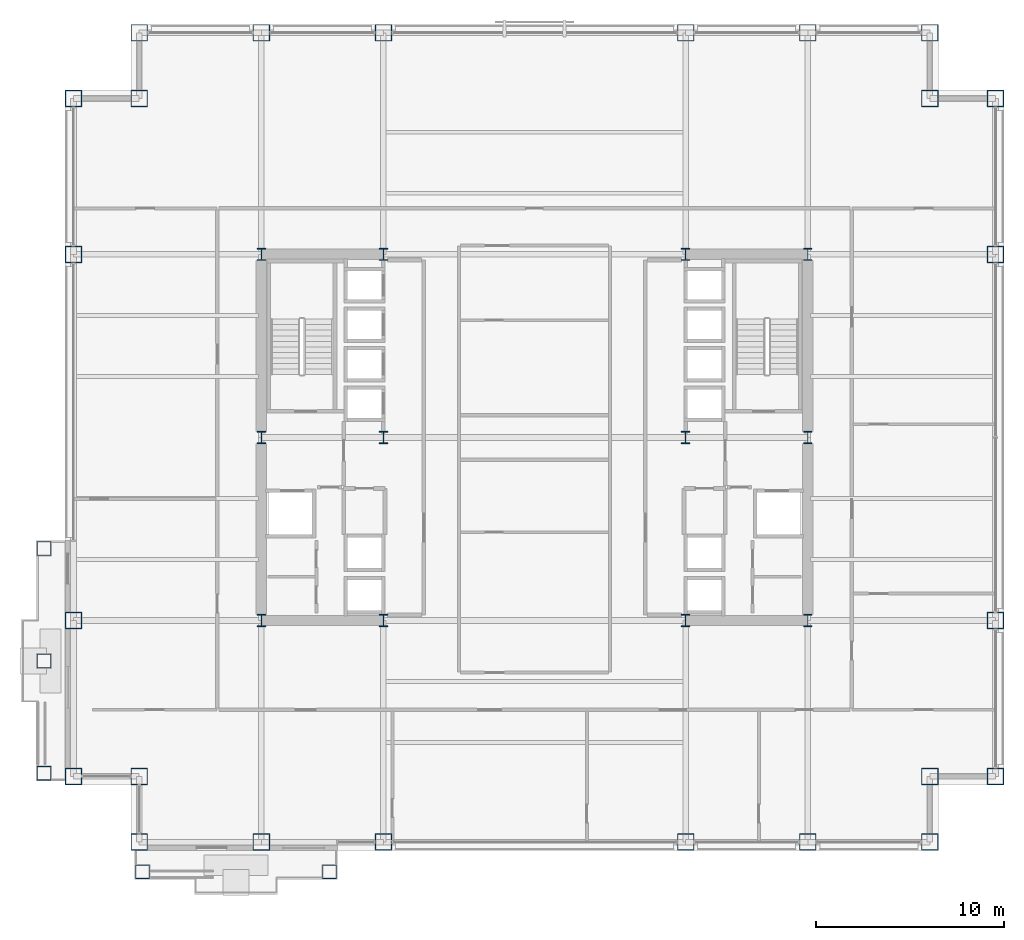
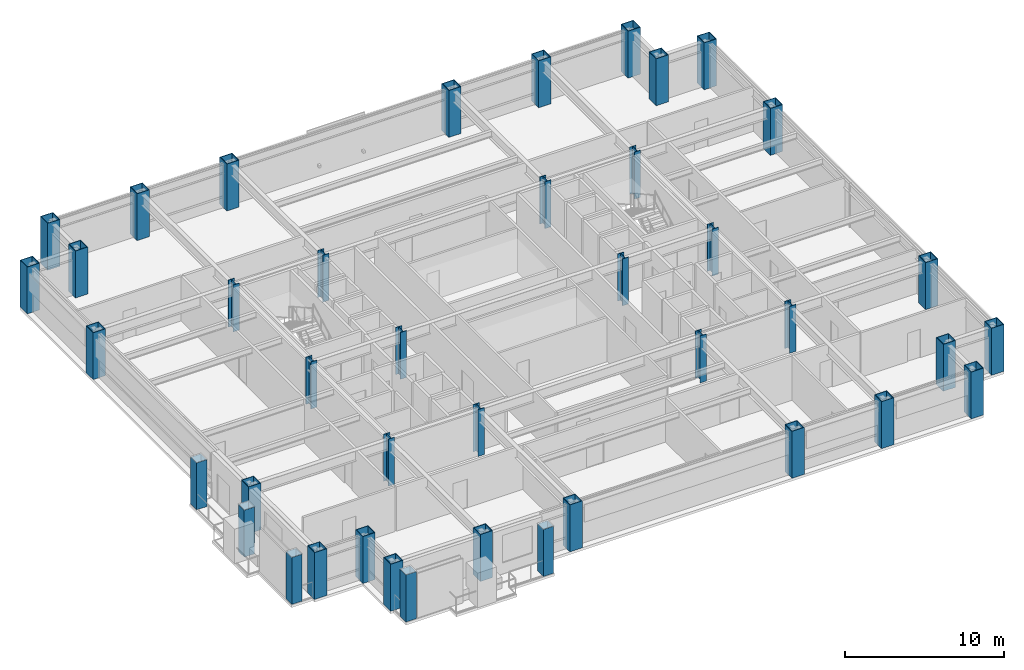
# One storey, part 1 of 29: 41 columns.
"""IFC4 building model written with IfcOpenShell, lengths in metres."""

import ifcopenshell
import ifcopenshell.guid

model = None  # the IFC model being written
_history = None  # IfcOwnerHistory: only IFC2X3 demands one
_inside = {}  # id of a spatial element -> (the spatial element, [elements in it])
_under = {}  # id of a project, library or spatial element -> (it, [spatial elements below it])
_declared = {}  # id of a project -> (the project, [libraries it declares])
_typed = {}  # id of a type object -> (the type object, [elements of that type])
_made_of = {}  # id of a material, layer set ... -> (it, [elements and type objects made of it])


def new_model(schema):
    """Start an empty IFC model of exactly this schema.

    Asked for "IFC4X3", IfcOpenShell would pick the latest addendum, in which some entities
    have other attributes; the version numbers below select the first issue.
    IFC2X3 requires an IfcOwnerHistory on every rooted entity: one is made here for all.
    """
    global model, _history
    if schema == "IFC4X3":
        model = ifcopenshell.file(schema_version=(4, 3, 0, 0))
    else:
        model = ifcopenshell.file(schema=schema)
    _inside.clear()
    _under.clear()
    _declared.clear()
    _typed.clear()
    _made_of.clear()
    _history = None
    if model.schema == "IFC2X3":
        org = make("IfcOrganization", Name="unknown")
        user = make(
            "IfcPersonAndOrganization",
            ThePerson=make("IfcPerson", FamilyName="unknown"),
            TheOrganization=org,
        )
        app = make(
            "IfcApplication",
            ApplicationDeveloper=org,
            Version="unknown",
            ApplicationFullName="unknown",
            ApplicationIdentifier="unknown",
        )
        _history = make(
            "IfcOwnerHistory",
            OwningUser=user,
            OwningApplication=app,
            ChangeAction="ADDED",
            CreationDate=0,
        )
    return model


def make(cls, **values):
    """One entity of the class cls with the attributes given. An attribute that is None is left unset."""
    return model.create_entity(
        cls, **{name: value for name, value in values.items() if value is not None}
    )


def rooted(cls, **values):
    """An entity with a GlobalId (a new one), such as an element, a storey or a relation."""
    return make(cls, GlobalId=ifcopenshell.guid.new(), OwnerHistory=_history, **values)


def si_unit(unit_type, name, prefix=None):
    """IfcSIUnit, for example si_unit("LENGTHUNIT", "METRE", prefix="MILLI")."""
    return make("IfcSIUnit", UnitType=unit_type, Prefix=prefix, Name=name)


def assignment(units):
    """IfcUnitAssignment: the units of a project."""
    return None if units is None else make("IfcUnitAssignment", Units=units)


def point(xyz):
    """IfcCartesianPoint."""
    return None if xyz is None else make("IfcCartesianPoint", Coordinates=xyz)


def direction(xyz):
    """IfcDirection."""
    return None if xyz is None else make("IfcDirection", DirectionRatios=xyz)


def frame(location, z_axis=None, x_axis=None):
    """IfcAxis2Placement3D, a coordinate frame: its origin and axes. An axis left out is left unset."""
    return make(
        "IfcAxis2Placement3D",
        Location=point(location),
        Axis=direction(z_axis),
        RefDirection=direction(x_axis),
    )


def frame_2d(location, x_axis=None):
    """IfcAxis2Placement2D, a coordinate frame in the plane: its origin and x axis."""
    return make(
        "IfcAxis2Placement2D", Location=point(location), RefDirection=direction(x_axis)
    )


def origin():
    """The frame at (0, 0, 0) with its axes left unset."""
    return frame((0.0, 0.0, 0.0))


def origin_2d():
    """The frame at (0, 0) in the plane with its x axis left unset."""
    return frame_2d((0.0, 0.0))


def place(relative_to, where):
    """IfcLocalPlacement: puts the frame where relative to a parent placement (None: the world)."""
    return make(
        "IfcLocalPlacement", PlacementRelTo=relative_to, RelativePlacement=where
    )


def context(
    kind, dimensions, precision=None, world=None, true_north=None, identifier=None
):
    """IfcGeometricRepresentationContext, for example the 3D "Model" context."""
    return make(
        "IfcGeometricRepresentationContext",
        ContextIdentifier=identifier,
        ContextType=kind,
        CoordinateSpaceDimension=dimensions,
        Precision=precision,
        WorldCoordinateSystem=world,
        TrueNorth=true_north,
    )


def subcontext(parent, identifier, kind, view, scale=None):
    """IfcGeometricRepresentationSubContext, for example "Body" below "Model"."""
    return make(
        "IfcGeometricRepresentationSubContext",
        ContextIdentifier=identifier,
        ContextType=kind,
        ParentContext=parent,
        TargetScale=scale,
        TargetView=view,
    )


def project(units=None, contexts=None):
    """IfcProject with its units and contexts."""
    return rooted(
        "IfcProject",
        Name="project",
        RepresentationContexts=contexts,
        UnitsInContext=assignment(units),
    )


def spatial(cls, under=None, at=None, **own):
    """A site, building, storey or space (cls), placed at a placement, below another one or the project."""
    s = rooted(cls, ObjectPlacement=at, **own)
    if under is not None:
        _under.setdefault(under.id(), (under, []))[1].append(s)
    return s


def profile(cls, at=None, kind="AREA", **sizes):
    """A parametric profile (cls). Its sizes go by their IFC names, for example OverallWidth=200.0."""
    return make(cls, ProfileType=kind, Position=at, **sizes)


def hollow_rectangle(**sizes):
    """IfcRectangleHollowProfileDef."""
    return profile("IfcRectangleHollowProfileDef", **sizes)


def i_section(**sizes):
    """IfcIShapeProfileDef."""
    return profile("IfcIShapeProfileDef", **sizes)


def extrude(swept, where, along, depth):
    """IfcExtrudedAreaSolid: the profile swept, set in the frame where, extruded along a direction by depth."""
    return make(
        "IfcExtrudedAreaSolid",
        SweptArea=swept,
        Position=where,
        ExtrudedDirection=direction(along),
        Depth=depth,
    )


def shape(context_of_items, identifier, shape_type, items):
    """IfcShapeRepresentation: the items that make up one representation, for example the "Body"."""
    return make(
        "IfcShapeRepresentation",
        ContextOfItems=context_of_items,
        RepresentationIdentifier=identifier,
        RepresentationType=shape_type,
        Items=items,
    )


def material(Name=None, Category=None):
    """IfcMaterial."""
    return make("IfcMaterial", Name=Name, Category=Category)


def material_profile(
    of_material, cross_section, Name=None, Category=None, Priority=None
):
    """IfcMaterialProfile: a cross section and its material."""
    return make(
        "IfcMaterialProfile",
        Name=Name,
        Material=of_material,
        Profile=cross_section,
        Priority=Priority,
        Category=Category,
    )


def profile_set(profiles, Name=None, composite=None):
    """IfcMaterialProfileSet."""
    return make(
        "IfcMaterialProfileSet",
        Name=Name,
        MaterialProfiles=profiles,
        CompositeProfile=composite,
    )


def made_of(thing, what):
    """Note that an element or type object is made of a material, layer set ...; save() writes the relation."""
    if what is not None:
        _made_of.setdefault(what.id(), (what, []))[1].append(thing)
    return thing


def type_object(cls, material=None, **own):
    """A type object (cls), such as IfcWallType, which elements share."""
    return made_of(rooted(cls, **own), material)


def element(
    cls,
    number,
    at=None,
    inside=None,
    cuts=None,
    type_object=None,
    material=None,
    context=None,
    identifier="Body",
    shape_type=None,
    held_by="IfcProductDefinitionShape",
    body=None,
    shapes=None,
    **own,
):
    """One element of the class cls, such as IfcWall. Its Tag is "e" and its number.

    at: its placement. inside: the storey or other place that contains it. cuts: it is an
    opening in that element (IfcRelVoidsElement). A single representation is given by context,
    identifier, shape_type and body (its items); several are given by shapes. held_by: the class
    of the entity that holds the representations. save() writes the other relations.
    """
    e = rooted(cls, Tag="e%d" % number, ObjectPlacement=at, **own)
    if body is not None:
        shapes = [shape(context, identifier, shape_type, body)]
    if shapes is not None:
        e.Representation = make(held_by, Representations=shapes)
    if inside is not None:
        _inside.setdefault(inside.id(), (inside, []))[1].append(e)
    if cuts is not None:
        rooted(
            "IfcRelVoidsElement", RelatingBuildingElement=cuts, RelatedOpeningElement=e
        )
    if type_object is not None:
        _typed.setdefault(type_object.id(), (type_object, []))[1].append(e)
    return made_of(e, material)


def aggregate(whole, parts):
    """IfcRelAggregates: a whole, such as a stair, and the parts it consists of."""
    return rooted("IfcRelAggregates", RelatingObject=whole, RelatedObjects=parts)


def save(model, path):
    """Write the relations noted so far, then the file.

    IfcRelAggregates (storeys below a building ...), IfcRelContainedInSpatialStructure (elements
    in a storey), IfcRelDefinesByType, IfcRelAssociatesMaterial and IfcRelDeclares: one each for
    every whole, place, type object, material and project.
    """
    for whole, parts in _under.values():
        aggregate(whole, parts)
    for where, things in _inside.values():
        rooted(
            "IfcRelContainedInSpatialStructure",
            RelatedElements=things,
            RelatingStructure=where,
        )
    for kind, things in _typed.values():
        rooted("IfcRelDefinesByType", RelatedObjects=things, RelatingType=kind)
    for what, things in _made_of.values():
        rooted("IfcRelAssociatesMaterial", RelatedObjects=things, RelatingMaterial=what)
    for by, libraries in _declared.values():
        rooted("IfcRelDeclares", RelatingContext=by, RelatedDefinitions=libraries)
    model.write(path)


model = new_model("IFC4")

# Units and contexts
model_context = context("Model", 3, precision=1e-05, world=origin(), true_north=direction((0.0, 1.0)))
body_context = subcontext(model_context, "Body", "Model", "MODEL_VIEW")
ifc_project = project(units=[si_unit("LENGTHUNIT", "METRE"), si_unit("AREAUNIT", "SQUARE_METRE"), si_unit("VOLUMEUNIT", "CUBIC_METRE"), si_unit("PLANEANGLEUNIT", "RADIAN"), si_unit("MASSUNIT", "GRAM", prefix="KILO")], contexts=[model_context])

# Site, building, storey
site_placement = place(None, origin())
site = spatial("IfcSite", under=ifc_project, at=site_placement, CompositionType="ELEMENT")
building_placement = place(site_placement, origin())
building = spatial("IfcBuilding", under=site, at=building_placement, Name="Brelmoor Portico Tower", CompositionType="ELEMENT")
storey_placement = place(building_placement, frame((0.0, 0.0, 63.60009765625)))
storey = spatial("IfcBuildingStorey", under=building, at=storey_placement, Name="L16", CompositionType="ELEMENT", Elevation=63.60009765625)

# Columns
ifc_material = material(Name="Steel Q355B", Category="steel")
ifc_material_profile_1 = material_profile(ifc_material, hollow_rectangle(XDim=0.75, YDim=0.75, WallThickness=0.031982421875, at=origin_2d()), Name="BOX 750x750x32")
ifc_profile_set_1 = profile_set([ifc_material_profile_1], Name="Steel Q355B")
column_type_1 = type_object("IfcColumnType", Name="COL-MEGA-750", PredefinedType="COLUMN", material=ifc_profile_set_1)
for number, where, z_axis, x_axis, name in (
    (1, (-26.1298828125, -17.8798828125, 0.0), (0.0, 0.0, 1.0), (0.0, 1.0, 0.0), "L16 Proud Picture-Frame Pier PFJ-W1"),
    (2, (-26.1298828125, -5.919921875, 0.0), (0.0, 0.0, 1.0), (0.0, 1.0, 0.0), "L16 Proud Picture-Frame Pier PFJ-W2"),
    (3, (-26.1298828125, -11.89990234375, 0.0), (0.0, 0.0, 1.0), (0.0, 1.0, 0.0), "L16 Proud Picture-Frame Pier PFJ-W3"),
    (4, (-20.8798828125, -23.1298828125, 0.0), (0.0, 0.0, 1.0), (1.0, 0.0, 0.0), "L16 Proud Picture-Frame Pier PFJ-S1"),
    (5, (-10.919921875, -23.1298828125, 0.0), (0.0, 0.0, 1.0), (1.0, 0.0, 0.0), "L16 Proud Picture-Frame Pier PFJ-S2"),
):
    element("IfcColumn", number, at=place(storey_placement, frame(where, z_axis=z_axis, x_axis=x_axis)), inside=storey, type_object=column_type_1, Name=name, PredefinedType="COLUMN", context=body_context, shape_type="SweptSolid", body=[
        extrude(hollow_rectangle(XDim=0.75, YDim=0.75, WallThickness=0.031982421875, at=origin_2d()), origin(), (0.0, 0.0, 1.0), 3.599853515625),
    ])
ifc_material_profile_2 = material_profile(ifc_material, hollow_rectangle(XDim=0.89990234375, YDim=0.89990234375, WallThickness=0.044921875, at=origin_2d()), Name="BOX 900x900x45")
ifc_profile_set_2 = profile_set([ifc_material_profile_2], Name="Steel Q355B")
column_type_2 = type_object("IfcColumnType", Name="COL-MEGA-900", PredefinedType="COLUMN", material=ifc_profile_set_2)
for number, where, z_axis, x_axis, name in (
    (6, (-21.050048828125, -21.550048828125, 0.0), (0.0, 0.0, 1.0), (1.0, 0.0, 0.0), "L16 Perimeter Mega-Column PS01"),
    (7, (-14.550048828125, -21.550048828125, 0.0), (0.0, 0.0, 1.0), (1.0, 0.0, 0.0), "L16 Perimeter Mega-Column PS02"),
    (8, (-8.050048828125, -21.550048828125, 0.0), (0.0, 0.0, 1.0), (1.0, 0.0, 0.0), "L16 Perimeter Mega-Column PS03"),
    (9, (8.050048828125, -21.550048828125, 0.0), (0.0, 0.0, 1.0), (1.0, 0.0, 0.0), "L16 Perimeter Mega-Column PS04"),
    (10, (14.550048828125, -21.550048828125, 0.0), (0.0, 0.0, 1.0), (1.0, 0.0, 0.0), "L16 Perimeter Mega-Column PS05"),
    (11, (21.050048828125, -21.550048828125, 0.0), (0.0, 0.0, 1.0), (1.0, 0.0, 0.0), "L16 Perimeter Mega-Column PS06"),
    (12, (-21.050048828125, 21.550048828125, 0.0), (0.0, 0.0, 1.0), (1.0, 0.0, 0.0), "L16 Perimeter Mega-Column PN01"),
    (13, (-14.550048828125, 21.550048828125, 0.0), (0.0, 0.0, 1.0), (1.0, 0.0, 0.0), "L16 Perimeter Mega-Column PN02"),
    (14, (-8.050048828125, 21.550048828125, 0.0), (0.0, 0.0, 1.0), (1.0, 0.0, 0.0), "L16 Perimeter Mega-Column PN03"),
    (15, (8.050048828125, 21.550048828125, 0.0), (0.0, 0.0, 1.0), (1.0, 0.0, 0.0), "L16 Perimeter Mega-Column PN04"),
    (16, (14.550048828125, 21.550048828125, 0.0), (0.0, 0.0, 1.0), (1.0, 0.0, 0.0), "L16 Perimeter Mega-Column PN05"),
    (17, (21.050048828125, 21.550048828125, 0.0), (0.0, 0.0, 1.0), (1.0, 0.0, 0.0), "L16 Perimeter Mega-Column PN06"),
    (18, (-24.550048828125, -18.050048828125, 0.0), (0.0, 0.0, 1.0), (0.0, 1.0, 0.0), "L16 Perimeter Mega-Column PW01"),
    (19, (-24.550048828125, -9.75, 0.0), (0.0, 0.0, 1.0), (0.0, 1.0, 0.0), "L16 Perimeter Mega-Column PW02"),
    (20, (-24.550048828125, 9.75, 0.0), (0.0, 0.0, 1.0), (0.0, 1.0, 0.0), "L16 Perimeter Mega-Column PW03"),
    (21, (-24.550048828125, 18.050048828125, 0.0), (0.0, 0.0, 1.0), (0.0, 1.0, 0.0), "L16 Perimeter Mega-Column PW04"),
    (22, (24.550048828125, -18.050048828125, 0.0), (0.0, 0.0, 1.0), (0.0, 1.0, 0.0), "L16 Perimeter Mega-Column PE01"),
    (23, (24.550048828125, -9.75, 0.0), (0.0, 0.0, 1.0), (0.0, 1.0, 0.0), "L16 Perimeter Mega-Column PE02"),
    (24, (24.550048828125, 9.75, 0.0), (0.0, 0.0, 1.0), (0.0, 1.0, 0.0), "L16 Perimeter Mega-Column PE03"),
    (25, (24.550048828125, 18.050048828125, 0.0), (0.0, 0.0, 1.0), (0.0, 1.0, 0.0), "L16 Perimeter Mega-Column PE04"),
    (26, (-21.050048828125, 18.050048828125, 0.0), (0.0, 0.0, 1.0), (1.0, 0.0, 0.0), "L16 Perimeter Mega-Column PC-NW"),
    (27, (21.050048828125, 18.050048828125, 0.0), (0.0, 0.0, 1.0), (1.0, 0.0, 0.0), "L16 Perimeter Mega-Column PC-NE"),
    (28, (21.050048828125, -18.050048828125, 0.0), (0.0, 0.0, 1.0), (1.0, 0.0, 0.0), "L16 Perimeter Mega-Column PC-SE"),
    (29, (-21.050048828125, -18.050048828125, 0.0), (0.0, 0.0, 1.0), (1.0, 0.0, 0.0), "L16 Perimeter Mega-Column PC-SW"),
):
    element("IfcColumn", number, at=place(storey_placement, frame(where, z_axis=z_axis, x_axis=x_axis)), inside=storey, type_object=column_type_2, Name=name, PredefinedType="COLUMN", context=body_context, shape_type="SweptSolid", body=[
        extrude(hollow_rectangle(XDim=0.89990234375, YDim=0.89990234375, WallThickness=0.044921875, at=origin_2d()), origin(), (0.0, 0.0, 1.0), 3.599853515625),
    ])
ifc_material_profile_3 = material_profile(ifc_material, i_section(OverallWidth=0.449951171875, OverallDepth=0.64990234375, WebThickness=0.02490234375, FlangeThickness=0.0400390625, at=origin_2d()), Name="HW 650x450x25x40")
ifc_profile_set_3 = profile_set([ifc_material_profile_3], Name="Steel Q355B")
column_type_3 = type_object("IfcColumnType", Name="COL-SPINE-650", PredefinedType="COLUMN", material=ifc_profile_set_3)
for number, where, z_axis, x_axis, name in (
    (30, (-14.550048828125, -9.75, 0.0), (0.0, 0.0, 1.0), (1.0, 0.0, 0.0), "L16 Core Spine Column CW-SW"),
    (31, (-14.550048828125, 0.0, 0.0), (0.0, 0.0, 1.0), (1.0, 0.0, 0.0), "L16 Core Spine Column CW-MW"),
    (32, (-14.550048828125, 9.75, 0.0), (0.0, 0.0, 1.0), (1.0, 0.0, 0.0), "L16 Core Spine Column CW-NW"),
    (33, (-8.050048828125, -9.75, 0.0), (0.0, 0.0, 1.0), (1.0, 0.0, 0.0), "L16 Core Spine Column CW-SE"),
    (34, (-8.050048828125, 0.0, 0.0), (0.0, 0.0, 1.0), (1.0, 0.0, 0.0), "L16 Core Spine Column CW-ME"),
    (35, (-8.050048828125, 9.75, 0.0), (0.0, 0.0, 1.0), (1.0, 0.0, 0.0), "L16 Core Spine Column CW-NE"),
    (36, (8.050048828125, -9.75, 0.0), (0.0, 0.0, 1.0), (1.0, 0.0, 0.0), "L16 Core Spine Column CE-SW"),
    (37, (8.050048828125, 0.0, 0.0), (0.0, 0.0, 1.0), (1.0, 0.0, 0.0), "L16 Core Spine Column CE-MW"),
    (38, (8.050048828125, 9.75, 0.0), (0.0, 0.0, 1.0), (1.0, 0.0, 0.0), "L16 Core Spine Column CE-NW"),
    (39, (14.550048828125, -9.75, 0.0), (0.0, 0.0, 1.0), (1.0, 0.0, 0.0), "L16 Core Spine Column CE-SE"),
    (40, (14.550048828125, 0.0, 0.0), (0.0, 0.0, 1.0), (1.0, 0.0, 0.0), "L16 Core Spine Column CE-ME"),
    (41, (14.550048828125, 9.75, 0.0), (0.0, 0.0, 1.0), (1.0, 0.0, 0.0), "L16 Core Spine Column CE-NE"),
):
    element("IfcColumn", number, at=place(storey_placement, frame(where, z_axis=z_axis, x_axis=x_axis)), inside=storey, type_object=column_type_3, Name=name, PredefinedType="COLUMN", context=body_context, shape_type="SweptSolid", body=[
        extrude(i_section(OverallWidth=0.449951171875, OverallDepth=0.64990234375, WebThickness=0.02490234375, FlangeThickness=0.0400390625, at=origin_2d()), origin(), (0.0, 0.0, 1.0), 3.599853515625),
    ])

save(model, "model.ifc")
